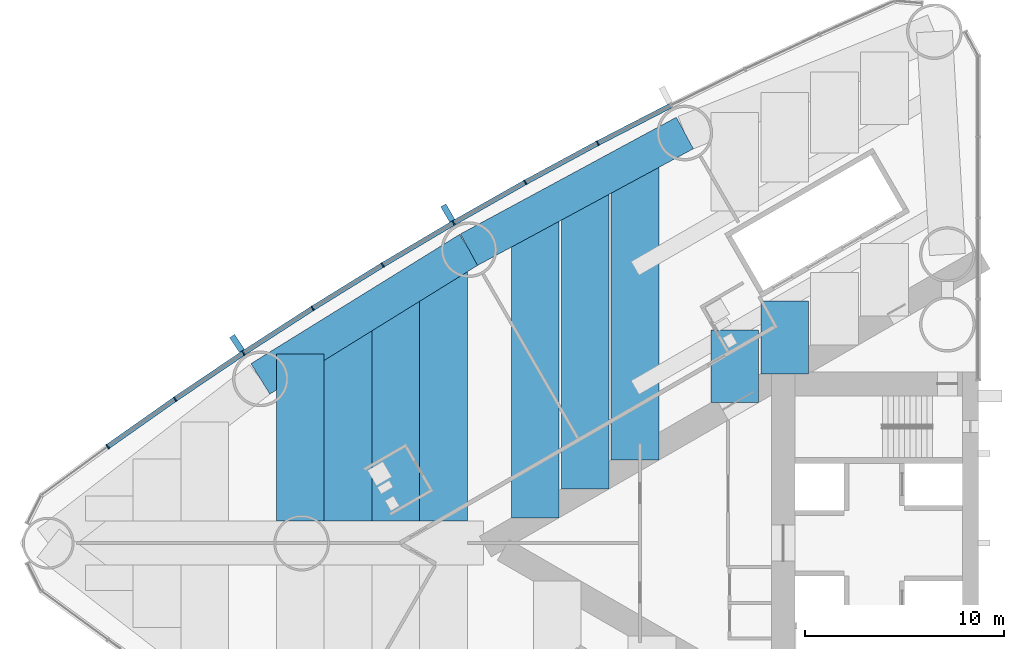
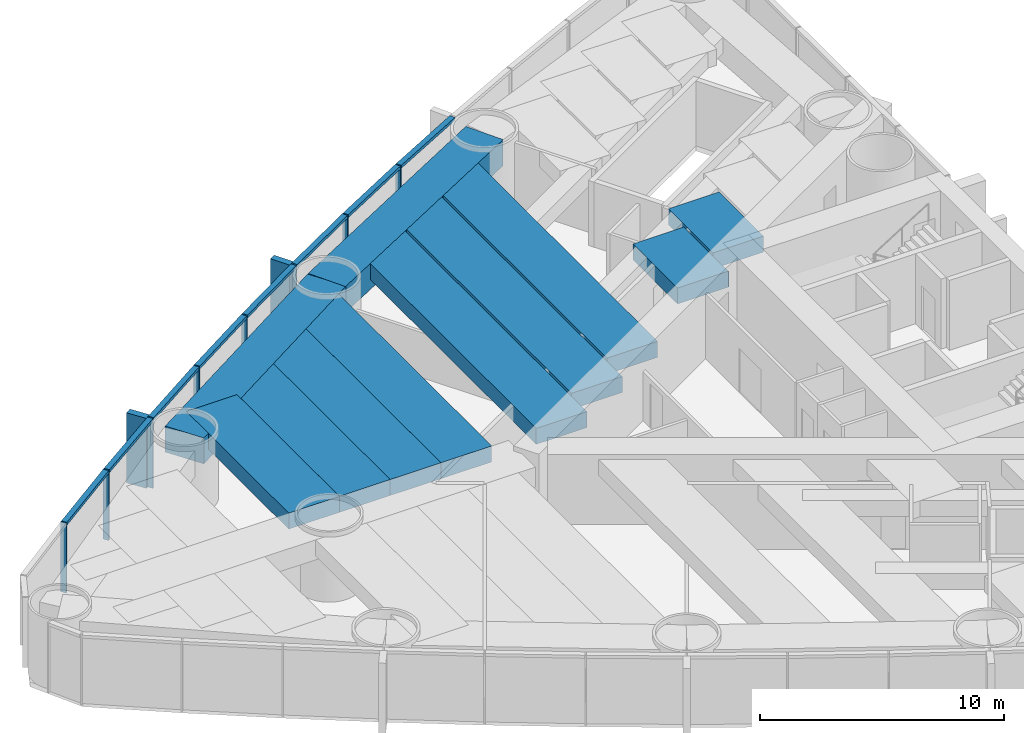
# One storey, part 4 of 18: 18 members, 11 beams, 1 element without a shape of its own.
"""IFC4 building model written with IfcOpenShell, lengths in metres."""

from ifc_helpers import new_model, si_unit, direction, frame, origin, origin_2d, place, context, subcontext, project, spatial, rectangle, extrude, material, material_profile, profile_set, type_object, element, aggregate, save


model = new_model("IFC4")

# Units and contexts
model_context = context("Model", 3, precision=1e-05, world=origin(), true_north=direction((0.0, 1.0)))
body_context = subcontext(model_context, "Body", "Model", "MODEL_VIEW")
ifc_project = project(units=[si_unit("LENGTHUNIT", "METRE"), si_unit("AREAUNIT", "SQUARE_METRE"), si_unit("VOLUMEUNIT", "CUBIC_METRE"), si_unit("PLANEANGLEUNIT", "RADIAN"), si_unit("MASSUNIT", "GRAM", prefix="KILO")], contexts=[model_context])

# Site, building, storey
site_placement = place(None, origin())
site = spatial("IfcSite", under=ifc_project, at=site_placement, CompositionType="ELEMENT")
building_placement = place(site_placement, origin())
building = spatial("IfcBuilding", under=site, at=building_placement, Name="Lancet Gate Hotel", CompositionType="ELEMENT")
storey_placement = place(building_placement, frame((0.0, 0.0, 53.0)))
storey = spatial("IfcBuildingStorey", under=building, at=storey_placement, Name="L13", CompositionType="ELEMENT", Elevation=53.0)

# Curtain wall, members
ifc_material_1 = material(Name="Aluminium curtain wall", Category="aluminium")
curtain_wall_type = type_object("IfcCurtainWallType", Name="Tower unitised curtain wall", PredefinedType="USERDEFINED", material=ifc_material_1)
curtain_wall_placement = place(storey_placement, origin())
curtain_wall = element("IfcCurtainWall", 1, at=curtain_wall_placement, inside=storey, type_object=curtain_wall_type, Name="T1 L13 curtain wall 2", ObjectType="UNITISED CURTAIN WALL", PredefinedType="USERDEFINED")
ifc_material_2 = material(Name="Aluminium mullion", Category="aluminium")
ifc_material_profile_1 = material_profile(ifc_material_2, rectangle(XDim=0.06494140625, YDim=0.25, at=origin_2d()), Name="MULLION 65x250")
ifc_profile_set_1 = profile_set([ifc_material_profile_1], Name="Aluminium mullion")
member_type_1 = type_object("IfcMemberType", Name="Aluminium mullion 65x250", PredefinedType="MULLION", material=ifc_profile_set_1)
member_1_placement = place(storey_placement, frame((-46.6220703125, 20.094970703125, 0.0), z_axis=(0.0, 0.0, 1.0), x_axis=(-0.884311132302, -0.466898084475, 0.0)))
member_1 = element("IfcMember", 2, at=member_1_placement, type_object=member_type_1, Name="T1 L13 curtain wall 2 mullion 6", PredefinedType="MULLION", context=body_context, shape_type="SweptSolid", body=[
    extrude(rectangle(XDim=0.06494140625, YDim=0.25, at=origin_2d()), origin(), (0.0, 0.0, 1.0), 3.5),
])
member_2_placement = place(storey_placement, frame((-50.26416015625, 18.1259765625, 0.0), z_axis=(0.0, 0.0, 1.0), x_axis=(-0.874991035403, -0.484139120464, 0.0)))
member_2 = element("IfcMember", 3, at=member_2_placement, type_object=member_type_1, Name="T1 L13 curtain wall 2 mullion 7", PredefinedType="MULLION", context=body_context, shape_type="SweptSolid", body=[
    extrude(rectangle(XDim=0.06494140625, YDim=0.25, at=origin_2d()), origin(), (0.0, 0.0, 1.0), 3.5),
])
member_3_placement = place(storey_placement, frame((-53.866943359375, 16.086181640625, 0.0), z_axis=(0.0, 0.0, 1.0), x_axis=(-0.86533483912, -0.501194190115, 0.0)))
member_3 = element("IfcMember", 4, at=member_3_placement, type_object=member_type_1, Name="T1 L13 curtain wall 2 mullion 8", PredefinedType="MULLION", context=body_context, shape_type="SweptSolid", body=[
    extrude(rectangle(XDim=0.06494140625, YDim=0.25, at=origin_2d()), origin(), (0.0, 0.0, 1.0), 3.5),
])
member_4_placement = place(storey_placement, frame((-57.42919921875, 13.97607421875, 0.0), z_axis=(0.0, 0.0, 1.0), x_axis=(-0.855346252548, -0.518056742309, 0.0)))
member_4 = element("IfcMember", 5, at=member_4_placement, type_object=member_type_1, Name="T1 L13 curtain wall 2 mullion 9", PredefinedType="MULLION", context=body_context, shape_type="SweptSolid", body=[
    extrude(rectangle(XDim=0.06494140625, YDim=0.25, at=origin_2d()), origin(), (0.0, 0.0, 1.0), 3.5),
])
member_5_placement = place(storey_placement, frame((-60.949462890625, 11.796630859375, 0.0), z_axis=(0.0, 0.0, 1.0), x_axis=(-0.845029112489, -0.534720299827, 0.0)))
member_5 = element("IfcMember", 6, at=member_5_placement, type_object=member_type_1, Name="T1 L13 curtain wall 2 mullion 10", PredefinedType="MULLION", context=body_context, shape_type="SweptSolid", body=[
    extrude(rectangle(XDim=0.06494140625, YDim=0.25, at=origin_2d()), origin(), (0.0, 0.0, 1.0), 3.5),
])
member_6_placement = place(storey_placement, frame((-64.42626953125, 9.548583984375, 0.0), z_axis=(0.0, 0.0, 1.0), x_axis=(-0.834387381945, -0.55117846189, 0.0)))
member_6 = element("IfcMember", 7, at=member_6_placement, type_object=member_type_1, Name="T1 L13 curtain wall 2 mullion 11", PredefinedType="MULLION", context=body_context, shape_type="SweptSolid", body=[
    extrude(rectangle(XDim=0.06494140625, YDim=0.25, at=origin_2d()), origin(), (0.0, 0.0, 1.0), 3.5),
])
member_7_placement = place(storey_placement, frame((-67.858154296875, 7.232666015625, 0.0), z_axis=(0.0, 0.0, 1.0), x_axis=(-0.823425148573, -0.56742490666, 0.0)))
member_7 = element("IfcMember", 8, at=member_7_placement, type_object=member_type_1, Name="T1 L13 curtain wall 2 mullion 12", PredefinedType="MULLION", context=body_context, shape_type="SweptSolid", body=[
    extrude(rectangle(XDim=0.06494140625, YDim=0.25, at=origin_2d()), origin(), (0.0, 0.0, 1.0), 3.5),
])
member_8_placement = place(storey_placement, frame((-71.244384765625, 4.85009765625, 0.0), z_axis=(0.0, 0.0, 1.0), x_axis=(-0.812146623168, -0.583453393578, 0.0)))
member_8 = element("IfcMember", 9, at=member_8_placement, type_object=member_type_1, Name="T1 L13 curtain wall 2 mullion 13", PredefinedType="MULLION", context=body_context, shape_type="SweptSolid", body=[
    extrude(rectangle(XDim=0.06494140625, YDim=0.25, at=origin_2d()), origin(), (0.0, 0.0, 1.0), 3.5),
])
ifc_material_3 = material(Name="Aluminium transom", Category="aluminium")
ifc_material_profile_2 = material_profile(ifc_material_3, rectangle(XDim=0.25, YDim=0.14990234375, at=origin_2d()), Name="TRANSOM 250x150")
ifc_profile_set_2 = profile_set([ifc_material_profile_2], Name="Aluminium transom")
member_type_2 = type_object("IfcMemberType", Name="Aluminium transom 250x150", PredefinedType="USERDEFINED", material=ifc_profile_set_2)
member_9_placement = place(storey_placement, frame((-42.970703125, 21.97705078125, 3.425048828125), z_axis=(-0.888859972399, -0.458178949175, 0.0), x_axis=(0.458178949175, -0.888859972399, 0.0)))
member_9 = element("IfcMember", 10, at=member_9_placement, type_object=member_type_2, Name="T1 L13 curtain wall 2 transom 5", ObjectType="TRANSOM", PredefinedType="USERDEFINED", context=body_context, shape_type="SweptSolid", body=[
    extrude(rectangle(XDim=0.25, YDim=0.14990234375, at=origin_2d()), origin(), (0.0, 0.0, 1.0), 4.0751953125),
])
member_10_placement = place(storey_placement, frame((-46.650634765625, 20.079345703125, 3.425048828125), z_axis=(-0.87971396408, -0.475503250675, 0.0), x_axis=(0.475503250675, -0.87971396408, 0.0)))
member_10 = element("IfcMember", 11, at=member_10_placement, type_object=member_type_2, Name="T1 L13 curtain wall 2 transom 6", ObjectType="TRANSOM", PredefinedType="USERDEFINED", context=body_context, shape_type="SweptSolid", body=[
    extrude(rectangle(XDim=0.25, YDim=0.14990234375, at=origin_2d()), origin(), (0.0, 0.0, 1.0), 4.0751953125),
])
member_11_placement = place(storey_placement, frame((-50.29248046875, 18.110107421875, 3.425048828125), z_axis=(-0.870197729943, -0.492702659625, 0.0), x_axis=(0.492702659625, -0.870197729943, 0.0)))
member_11 = element("IfcMember", 12, at=member_11_placement, type_object=member_type_2, Name="T1 L13 curtain wall 2 transom 7", ObjectType="TRANSOM", PredefinedType="USERDEFINED", context=body_context, shape_type="SweptSolid", body=[
    extrude(rectangle(XDim=0.25, YDim=0.14990234375, at=origin_2d()), origin(), (0.0, 0.0, 1.0), 4.0751953125),
])
member_12_placement = place(storey_placement, frame((-53.89501953125, 16.069580078125, 3.425048828125), z_axis=(-0.86039174806, -0.509633240547, 0.0), x_axis=(0.509633240547, -0.86039174806, 0.0)))
member_12 = element("IfcMember", 13, at=member_12_placement, type_object=member_type_2, Name="T1 L13 curtain wall 2 transom 8", ObjectType="TRANSOM", PredefinedType="USERDEFINED", context=body_context, shape_type="SweptSolid", body=[
    extrude(rectangle(XDim=0.25, YDim=0.14990234375, at=origin_2d()), origin(), (0.0, 0.0, 1.0), 4.0751953125),
])
member_13_placement = place(storey_placement, frame((-57.456787109375, 13.958984375, 3.425048828125), z_axis=(-0.850242165643, -0.526391736032, 0.0), x_axis=(0.526391736032, -0.850242165643, 0.0)))
member_13 = element("IfcMember", 14, at=member_13_placement, type_object=member_type_2, Name="T1 L13 curtain wall 2 transom 9", ObjectType="TRANSOM", PredefinedType="USERDEFINED", context=body_context, shape_type="SweptSolid", body=[
    extrude(rectangle(XDim=0.25, YDim=0.14990234375, at=origin_2d()), origin(), (0.0, 0.0, 1.0), 4.075439453125),
])
member_14_placement = place(storey_placement, frame((-60.976806640625, 11.779052734375, 3.425048828125), z_axis=(-0.839729242404, -0.543005340169, 0.0), x_axis=(0.543005340169, -0.839729242404, 0.0)))
member_14 = element("IfcMember", 15, at=member_14_placement, type_object=member_type_2, Name="T1 L13 curtain wall 2 transom 10", ObjectType="TRANSOM", PredefinedType="USERDEFINED", context=body_context, shape_type="SweptSolid", body=[
    extrude(rectangle(XDim=0.25, YDim=0.14990234375, at=origin_2d()), origin(), (0.0, 0.0, 1.0), 4.0751953125),
])
member_15_placement = place(storey_placement, frame((-64.453125, 9.5302734375, 3.425048828125), z_axis=(-0.828959086782, -0.559309245804, 0.0), x_axis=(0.559309245804, -0.828959086782, 0.0)))
member_15 = element("IfcMember", 16, at=member_15_placement, type_object=member_type_2, Name="T1 L13 curtain wall 2 transom 11", ObjectType="TRANSOM", PredefinedType="USERDEFINED", context=body_context, shape_type="SweptSolid", body=[
    extrude(rectangle(XDim=0.25, YDim=0.14990234375, at=origin_2d()), origin(), (0.0, 0.0, 1.0), 4.0751953125),
])
member_16_placement = place(storey_placement, frame((-67.884765625, 7.214111328125, 3.425048828125), z_axis=(-0.817833568345, -0.57545482402, 0.0), x_axis=(0.57545482402, -0.817833568345, 0.0)))
member_16 = element("IfcMember", 17, at=member_16_placement, type_object=member_type_2, Name="T1 L13 curtain wall 2 transom 12", ObjectType="TRANSOM", PredefinedType="USERDEFINED", context=body_context, shape_type="SweptSolid", body=[
    extrude(rectangle(XDim=0.25, YDim=0.14990234375, at=origin_2d()), origin(), (0.0, 0.0, 1.0), 4.075439453125),
])

# Beams
ifc_material_4 = material(Name="Concrete C50/60", Category="concrete")
ifc_material_profile_3 = material_profile(ifc_material_4, rectangle(XDim=1.800048828125, YDim=1.300048828125, at=origin_2d()), Name="RC 1800x1300")
ifc_profile_set_3 = profile_set([ifc_material_profile_3], Name="Concrete C50/60")
beam_type_1 = type_object("IfcBeamType", Name="Edge beam RC 1800x1300", PredefinedType="SPANDREL", material=ifc_profile_set_3)
for number, where, z_axis, x_axis, name in (
    (18, (-42.2451171875, 20.607421875, 2.60009765625), (-0.879692855603, -0.475542300749, 0.0), (0.475542300749, -0.879692855603, 0.0), "T1 edge beam EB1 L13"),
    (19, (-53.090087890625, 14.744873046875, 2.60009765625), (-0.850225894333, -0.526418016984, 0.0), (0.526418016984, -0.850225894333, 0.0), "T1 edge beam EB1 L13"),
):
    element("IfcBeam", number, at=place(storey_placement, frame(where, z_axis=z_axis, x_axis=x_axis)), inside=storey, type_object=beam_type_1, Name=name, PredefinedType="SPANDREL", context=body_context, shape_type="SweptSolid", body=[
        extrude(rectangle(XDim=1.800048828125, YDim=1.300048828125, at=origin_2d()), origin(), (0.0, 0.0, 1.0), 12.328125),
    ])

# Member
ifc_material_5 = material(Name="Precast concrete C50/60", Category="concrete")
ifc_material_profile_4 = material_profile(ifc_material_5, rectangle(XDim=0.300048828125, YDim=0.89990234375, at=origin_2d()), Name="FIN 300x900")
ifc_profile_set_4 = profile_set([ifc_material_profile_4], Name="Precast concrete C50/60")
member_type_3 = type_object("IfcMemberType", Name="Exposed concrete fin 300x900", PredefinedType="USERDEFINED", material=ifc_profile_set_4)
member_17_placement = place(storey_placement, frame((-54.1552734375, 16.583740234375, 0.0), z_axis=(0.0, 0.0, 1.0), x_axis=(-0.86533483912, -0.501194190115, 0.0)))
member_17 = element("IfcMember", 20, at=member_17_placement, type_object=member_type_3, Name="T1 L13 curtain wall 2 fin 8", ObjectType="FIN", PredefinedType="USERDEFINED", context=body_context, shape_type="SweptSolid", body=[
    extrude(rectangle(XDim=0.300048828125, YDim=0.89990234375, at=origin_2d()), origin(), (0.0, 0.0, 1.0), 3.5),
])

member_18_placement = place(storey_placement, frame((-64.7431640625, 10.0283203125, 0.0), z_axis=(0.0, 0.0, 1.0), x_axis=(-0.834387381945, -0.55117846189, 0.0)))
member_18 = element("IfcMember", 21, at=member_18_placement, type_object=member_type_3, Name="T1 L13 curtain wall 2 fin 11", ObjectType="FIN", PredefinedType="USERDEFINED", context=body_context, shape_type="SweptSolid", body=[
    extrude(rectangle(XDim=0.300048828125, YDim=0.89990234375, at=origin_2d()), origin(), (0.0, 0.0, 1.0), 3.5),
])

aggregate(curtain_wall, [member_1, member_2, member_3, member_17, member_4, member_5, member_6, member_18, member_7, member_8, member_9, member_10, member_11, member_12, member_13, member_14, member_15, member_16])

# Beams
ifc_material_6 = material(Name="Concrete C50/60", Category="concrete")
ifc_material_profile_5 = material_profile(ifc_material_6, rectangle(XDim=2.39990234375, YDim=0.800048828125, at=origin_2d()), Name="RC 2400x800")
ifc_profile_set_5 = profile_set([ifc_material_profile_5], Name="Concrete C50/60")
beam_type_2 = type_object("IfcBeamType", Name="Floor beam RC 2400x800", PredefinedType="BEAM", material=ifc_profile_set_5)
beam_1_placement = place(storey_placement, frame((-44.747802734375, 19.254638671875, 2.85009765625), z_axis=(0.0, -1.0, 0.0), x_axis=(1.0, 0.0, 0.0)))
element("IfcBeam", 22, at=beam_1_placement, inside=storey, type_object=beam_type_2, Name="T1 floor beam F09S L13", PredefinedType="BEAM", context=body_context, shape_type="SweptSolid", body=[
    extrude(rectangle(XDim=2.39990234375, YDim=0.800048828125, at=origin_2d()), origin(), (0.0, 0.0, 1.0), 15.0859375),
])
beam_2_placement = place(storey_placement, frame((-47.254638671875, 17.8994140625, 2.85009765625), z_axis=(0.0, -1.0, 0.0), x_axis=(1.0, 0.0, 0.0)))
element("IfcBeam", 23, at=beam_2_placement, inside=storey, type_object=beam_type_2, Name="T1 floor beam F10S L13", PredefinedType="BEAM", context=body_context, shape_type="SweptSolid", body=[
    extrude(rectangle(XDim=2.39990234375, YDim=0.800048828125, at=origin_2d()), origin(), (0.0, 0.0, 1.0), 15.177978515625),
])
beam_3_placement = place(storey_placement, frame((-49.761474609375, 16.54443359375, 2.85009765625), z_axis=(0.0, -1.0, 0.0), x_axis=(1.0, 0.0, 0.0)))
element("IfcBeam", 24, at=beam_3_placement, inside=storey, type_object=beam_type_2, Name="T1 floor beam F12S L13", PredefinedType="BEAM", context=body_context, shape_type="SweptSolid", body=[
    extrude(rectangle(XDim=2.39990234375, YDim=0.800048828125, at=origin_2d()), origin(), (0.0, 0.0, 1.0), 15.270263671875),
])
beam_4_placement = place(storey_placement, frame((-54.3681640625, 13.95361328125, 2.85009765625), z_axis=(0.0, -1.0, 0.0), x_axis=(1.0, 0.0, 0.0)))
element("IfcBeam", 25, at=beam_4_placement, inside=storey, type_object=beam_type_2, Name="T1 floor beam F13S L13", PredefinedType="BEAM", context=body_context, shape_type="SweptSolid", body=[
    extrude(rectangle(XDim=2.39990234375, YDim=0.800048828125, at=origin_2d()), origin(), (0.0, 0.0, 1.0), 12.853515625),
])
beam_5_placement = place(storey_placement, frame((-56.768310546875, 12.467529296875, 2.85009765625), z_axis=(0.0, -1.0, 0.0), x_axis=(1.0, 0.0, 0.0)))
element("IfcBeam", 26, at=beam_5_placement, inside=storey, type_object=beam_type_2, Name="T1 floor beam F15S L13", PredefinedType="BEAM", context=body_context, shape_type="SweptSolid", body=[
    extrude(rectangle(XDim=2.39990234375, YDim=0.800048828125, at=origin_2d()), origin(), (0.0, 0.0, 1.0), 11.367431640625),
])
beam_6_placement = place(storey_placement, frame((-59.168212890625, 10.981689453125, 2.85009765625), z_axis=(0.0, -1.0, 0.0), x_axis=(1.0, 0.0, 0.0)))
element("IfcBeam", 27, at=beam_6_placement, inside=storey, type_object=beam_type_2, Name="T1 floor beam F17S L13", PredefinedType="BEAM", context=body_context, shape_type="SweptSolid", body=[
    extrude(rectangle(XDim=2.39990234375, YDim=0.800048828125, at=origin_2d()), origin(), (0.0, 0.0, 1.0), 9.881591796875),
])
beam_7_placement = place(storey_placement, frame((-61.568359375, 9.495849609375, 2.85009765625), z_axis=(0.0, -1.0, 0.0), x_axis=(1.0, 0.0, 0.0)))
element("IfcBeam", 28, at=beam_7_placement, inside=storey, type_object=beam_type_2, Name="T1 floor beam F19S L13", PredefinedType="BEAM", context=body_context, shape_type="SweptSolid", body=[
    extrude(rectangle(XDim=2.39990234375, YDim=0.800048828125, at=origin_2d()), origin(), (0.0, 0.0, 1.0), 8.395751953125),
])
beam_8_placement = place(storey_placement, frame((-37.227294921875, 12.15625, 2.85009765625), z_axis=(0.0, -1.0, 0.0), x_axis=(1.0, 0.0, 0.0)))
element("IfcBeam", 29, at=beam_8_placement, inside=storey, type_object=beam_type_2, Name="T1 floor beam F05SB L13", PredefinedType="BEAM", context=body_context, shape_type="SweptSolid", body=[
    extrude(rectangle(XDim=2.39990234375, YDim=0.800048828125, at=origin_2d()), origin(), (0.0, 0.0, 1.0), 3.6455078125),
])
beam_9_placement = place(storey_placement, frame((-39.734130859375, 10.708740234375, 2.85009765625), z_axis=(0.0, -1.0, 0.0), x_axis=(1.0, 0.0, 0.0)))
element("IfcBeam", 30, at=beam_9_placement, inside=storey, type_object=beam_type_2, Name="T1 floor beam F07SB L13", PredefinedType="BEAM", context=body_context, shape_type="SweptSolid", body=[
    extrude(rectangle(XDim=2.39990234375, YDim=0.800048828125, at=origin_2d()), origin(), (0.0, 0.0, 1.0), 3.645263671875),
])

save(model, "model.ifc")
